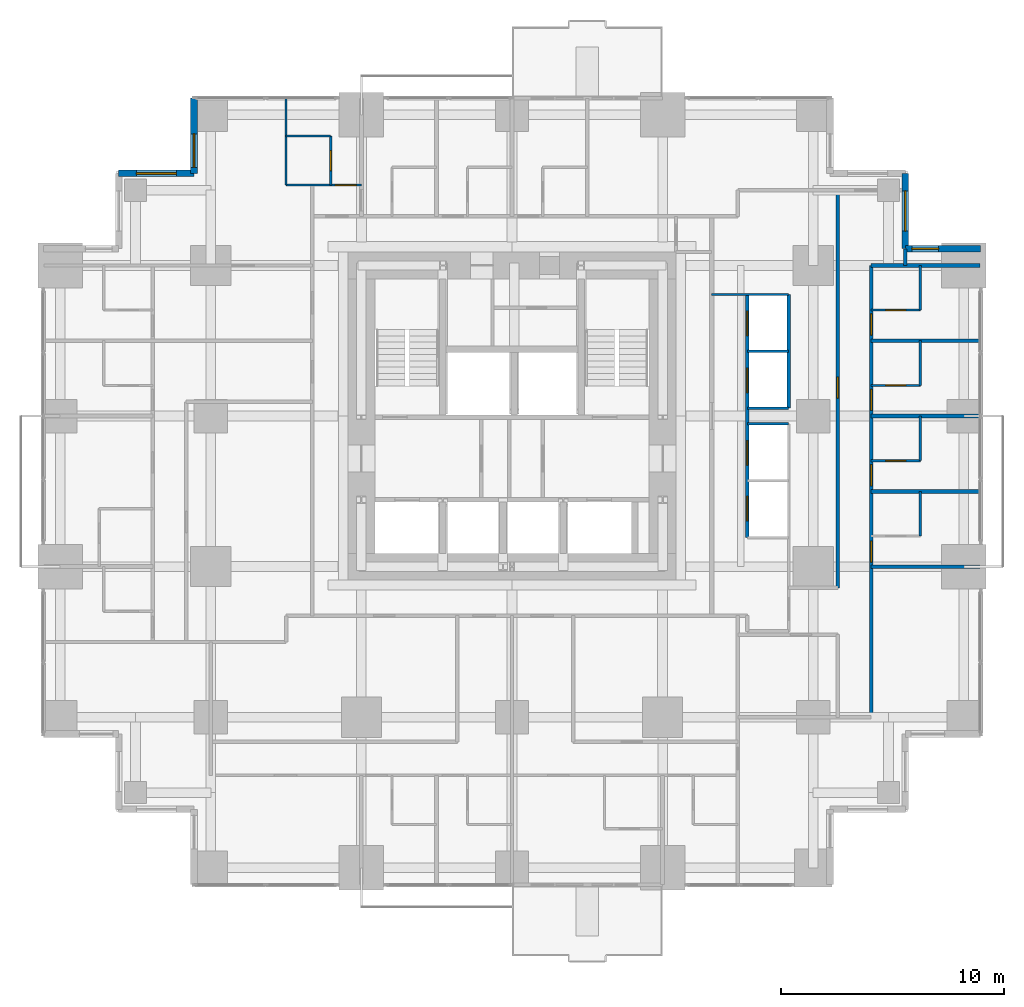
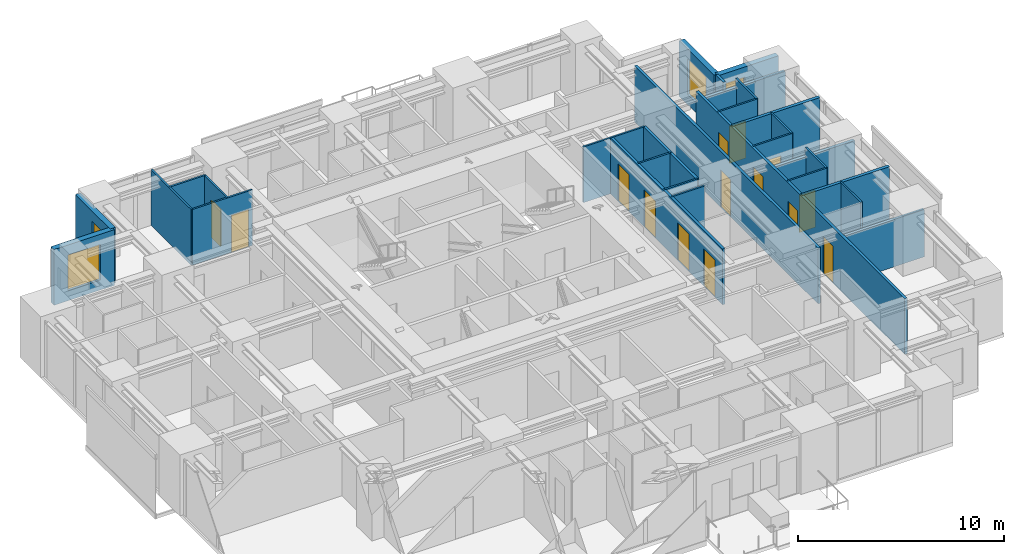
# One storey, part 10 of 12: 29 walls, 14 doors, 4 windows, 18 openings.
"""IFC4 building model written with IfcOpenShell, lengths in metres."""

from ifc_helpers import new_model, si_unit, direction, frame, frame_2d, origin, place, context, subcontext, project, spatial, rectangle, extrude, material, layer, layer_set, type_object, element, fill, save


model = new_model("IFC4")

# Units and contexts
model_context = context("Model", 3, precision=1e-05, world=origin(), true_north=direction((0.0, 1.0)))
body_context = subcontext(model_context, "Body", "Model", "MODEL_VIEW")
ifc_project = project(units=[si_unit("LENGTHUNIT", "METRE"), si_unit("AREAUNIT", "SQUARE_METRE"), si_unit("VOLUMEUNIT", "CUBIC_METRE"), si_unit("PLANEANGLEUNIT", "RADIAN"), si_unit("MASSUNIT", "GRAM", prefix="KILO")], contexts=[model_context])

# Site, building, storey
site_placement = place(None, origin())
site = spatial("IfcSite", under=ifc_project, at=site_placement, CompositionType="ELEMENT")
building_placement = place(site_placement, origin())
building = spatial("IfcBuilding", under=site, at=building_placement, Name="Nyansa Garden Tower", CompositionType="ELEMENT")
storey_placement = place(building_placement, frame((0.0, 0.0, 134.10009765625)))
storey = spatial("IfcBuildingStorey", under=building, at=storey_placement, Name="L36", CompositionType="ELEMENT", Elevation=134.10009765625)

# Walls
ifc_material_1 = material(Name="Dense blockwork, plastered both sides, 55 dB", Category="masonry")
ifc_layer_1 = layer(ifc_material_1, 0.175048828125)
ifc_layer_set_1 = layer_set([ifc_layer_1], Name="Acoustic party wall PW175")
wall_type_1 = type_object("IfcWallType", Name="Acoustic party wall PW175", PredefinedType="PARTITIONING", material=ifc_layer_set_1)
wall_1_placement = place(storey_placement, frame((36.35009765625, 16.875, 0.0), z_axis=(0.0, 0.0, 1.0), x_axis=(1.0, 0.0, 0.0)))
element("IfcWall", 1, at=wall_1_placement, inside=storey, type_object=wall_type_1, Name="Party wall", PredefinedType="PARTITIONING", context=body_context, shape_type="SweptSolid", body=[
    extrude(rectangle(XDim=4.8837890625, YDim=0.175048828125, at=frame_2d((2.44189453125, 0.0))), origin(), (0.0, 0.0, 1.0), 3.2998046875),
])
wall_2_placement = place(storey_placement, frame((36.35009765625, 20.25, 0.0), z_axis=(0.0, 0.0, 1.0), x_axis=(1.0, 0.0, 0.0)))
element("IfcWall", 2, at=wall_2_placement, inside=storey, type_object=wall_type_1, Name="Party wall", PredefinedType="PARTITIONING", context=body_context, shape_type="SweptSolid", body=[
    extrude(rectangle(XDim=4.8837890625, YDim=0.175048828125, at=frame_2d((2.44189453125, 0.0))), origin(), (0.0, 0.0, 1.0), 2.802001953125),
])
wall_3_placement = place(storey_placement, frame((36.35009765625, 23.625, 0.0), z_axis=(0.0, 0.0, 1.0), x_axis=(1.0, 0.0, 0.0)))
element("IfcWall", 3, at=wall_3_placement, inside=storey, type_object=wall_type_1, Name="Party wall", PredefinedType="PARTITIONING", context=body_context, shape_type="SweptSolid", body=[
    extrude(rectangle(XDim=4.8837890625, YDim=0.175048828125, at=frame_2d((2.44189453125, 0.0))), origin(), (0.0, 0.0, 1.0), 3.2998046875),
])
wall_4_placement = place(storey_placement, frame((36.35009765625, 27.0, 0.0), z_axis=(0.0, 0.0, 1.0), x_axis=(1.0, 0.0, 0.0)))
element("IfcWall", 4, at=wall_4_placement, inside=storey, type_object=wall_type_1, Name="Party wall", PredefinedType="PARTITIONING", context=body_context, shape_type="SweptSolid", body=[
    extrude(rectangle(XDim=4.8837890625, YDim=0.175048828125, at=frame_2d((2.44189453125, 0.0))), origin(), (0.0, 0.0, 1.0), 2.802001953125),
])
ifc_material_2 = material(Name="Steel-stud shaft wall, two layers fire-rated board, EI 120", Category="steel")
ifc_layer_2 = layer(ifc_material_2, 0.10009765625)
ifc_layer_set_2 = layer_set([ifc_layer_2], Name="Lift shaft wall SW100")
wall_type_2 = type_object("IfcWallType", Name="Lift shaft wall SW100", PredefinedType="SHEAR", material=ifc_layer_set_2)
wall_5_placement = place(storey_placement, frame((29.199951171875, 25.699951171875, 0.0), z_axis=(0.0, 0.0, 1.0), x_axis=(1.0, 0.0, 0.0)))
element("IfcWall", 5, at=wall_5_placement, inside=storey, type_object=wall_type_2, Name="Lift shaft wall", PredefinedType="SHEAR", context=body_context, shape_type="SweptSolid", body=[
    extrude(rectangle(XDim=3.449951171875, YDim=0.10009765625, at=frame_2d((1.72509765625, 0.0))), origin(), (0.0, 0.0, 1.0), 3.2998046875),
])
for number, where, z_axis, x_axis, name in (
    (6, (30.800048828125, 19.89990234375, 0.0), (0.0, 0.0, 1.0), (1.0, 0.0, 0.0), "Lift shaft wall"),
    (7, (30.800048828125, 20.60009765625, 0.0), (0.0, 0.0, 1.0), (1.0, 0.0, 0.0), "Lift shaft wall"),
    (8, (30.800048828125, 23.14990234375, 0.0), (0.0, 0.0, 1.0), (1.0, 0.0, 0.0), "Lift shaft wall"),
):
    element("IfcWall", number, at=place(storey_placement, frame(where, z_axis=z_axis, x_axis=x_axis)), inside=storey, type_object=wall_type_2, Name=name, PredefinedType="SHEAR", context=body_context, shape_type="SweptSolid", body=[
        extrude(rectangle(XDim=1.849853515625, YDim=0.10009765625, at=frame_2d((0.9248046875, 0.0))), origin(), (0.0, 0.0, 1.0), 3.2998046875),
    ])

# Wall, openings, doors
ifc_material_3 = material(Name="Blockwork, plastered both sides", Category="masonry")
ifc_layer_3 = layer(ifc_material_3, 0.14990234375)
ifc_layer_set_3 = layer_set([ifc_layer_3], Name="Partition PW150")
wall_type_3 = type_object("IfcWallType", Name="Partition PW150", PredefinedType="PARTITIONING", material=ifc_layer_set_3)
wall_6_placement = place(storey_placement, frame((30.800048828125, 14.800048828125, 0.0), z_axis=(0.0, 0.0, 1.0), x_axis=(0.0, 1.0, 0.0)))
wall_6 = element("IfcWall", 9, at=wall_6_placement, inside=storey, type_object=wall_type_3, Name="Partition", PredefinedType="PARTITIONING", context=body_context, shape_type="SweptSolid", body=[
    extrude(rectangle(XDim=10.89990234375, YDim=0.14990234375, at=frame_2d((5.449951171875, 0.0))), origin(), (0.0, 0.0, 1.0), 3.2998046875),
])
opening_1_placement = place(wall_6_placement, frame((0.75, 0.0, 0.0)))
opening_1 = element("IfcOpeningElement", 10, at=opening_1_placement, cuts=wall_6, Name="Opening LD-A", PredefinedType="OPENING", context=body_context, shape_type="SweptSolid", body=[
    extrude(rectangle(XDim=1.10009765625, YDim=2.199951171875, at=frame_2d((0.550048828125, 1.10009765625))), frame((0.0, 0.0849609375, 0.0), z_axis=(0.0, -1.0, 0.0), x_axis=(1.0, 0.0, 0.0)), (0.0, 0.0, 1.0), 0.169921875),
])
opening_2_placement = place(wall_6_placement, frame((3.25, 0.0, 0.0)))
opening_2 = element("IfcOpeningElement", 11, at=opening_2_placement, cuts=wall_6, Name="Opening LD-A", PredefinedType="OPENING", context=body_context, shape_type="SweptSolid", body=[
    extrude(rectangle(XDim=1.10009765625, YDim=2.199951171875, at=frame_2d((0.550048828125, 1.10009765625))), frame((0.0, 0.0849609375, 0.0), z_axis=(0.0, -1.0, 0.0), x_axis=(1.0, 0.0, 0.0)), (0.0, 0.0, 1.0), 0.169921875),
])
opening_3_placement = place(wall_6_placement, frame((6.5, 0.0, 0.0)))
opening_3 = element("IfcOpeningElement", 12, at=opening_3_placement, cuts=wall_6, Name="Opening LD-A", PredefinedType="OPENING", context=body_context, shape_type="SweptSolid", body=[
    extrude(rectangle(XDim=1.10009765625, YDim=2.199951171875, at=frame_2d((0.550048828125, 1.10009765625))), frame((0.0, 0.0849609375, 0.0), z_axis=(0.0, -1.0, 0.0), x_axis=(1.0, 0.0, 0.0)), (0.0, 0.0, 1.0), 0.169921875),
])
opening_4_placement = place(wall_6_placement, frame((9.050048828125, 0.0, 0.0)))
opening_4 = element("IfcOpeningElement", 13, at=opening_4_placement, cuts=wall_6, Name="Opening LD-A", PredefinedType="OPENING", context=body_context, shape_type="SweptSolid", body=[
    extrude(rectangle(XDim=1.10009765625, YDim=2.199951171875, at=frame_2d((0.550048828125, 1.10009765625))), frame((0.0, 0.0849609375, 0.0), z_axis=(0.0, -1.0, 0.0), x_axis=(1.0, 0.0, 0.0)), (0.0, 0.0, 1.0), 0.169921875),
])
ifc_material_4 = material(Name="Stainless steel centre-opening landing door of the low-rise lift, E 120", Category="steel")
door_type_1 = type_object("IfcDoorType", Name="Lift landing door LD-A 1100x2200", OperationType="DOUBLE_DOOR_SLIDING", PredefinedType="DOOR", material=ifc_material_4)
door_1_placement = place(opening_1_placement, origin())
door_1 = element("IfcDoor", 14, at=door_1_placement, inside=storey, type_object=door_type_1, Name="Landing door A1", OperationType="DOUBLE_DOOR_SLIDING", OverallHeight=2.199951171875, OverallWidth=1.10009765625, PredefinedType="DOOR", context=body_context, shape_type="SweptSolid", body=[
    extrude(rectangle(XDim=1.10009765625, YDim=2.199951171875, at=frame_2d((0.550048828125, 1.10009765625))), frame((0.0, 0.02490234375, 0.0), z_axis=(0.0, -1.0, 0.0), x_axis=(1.0, 0.0, 0.0)), (0.0, 0.0, 1.0), 0.050048828125),
])
fill(opening_1, door_1)
door_2_placement = place(opening_2_placement, origin())
door_2 = element("IfcDoor", 15, at=door_2_placement, inside=storey, type_object=door_type_1, Name="Landing door A2", OperationType="DOUBLE_DOOR_SLIDING", OverallHeight=2.199951171875, OverallWidth=1.10009765625, PredefinedType="DOOR", context=body_context, shape_type="SweptSolid", body=[
    extrude(rectangle(XDim=1.10009765625, YDim=2.199951171875, at=frame_2d((0.550048828125, 1.10009765625))), frame((0.0, 0.02490234375, 0.0), z_axis=(0.0, -1.0, 0.0), x_axis=(1.0, 0.0, 0.0)), (0.0, 0.0, 1.0), 0.050048828125),
])
fill(opening_2, door_2)
door_3_placement = place(opening_3_placement, origin())
door_3 = element("IfcDoor", 16, at=door_3_placement, inside=storey, type_object=door_type_1, Name="Landing door A3", OperationType="DOUBLE_DOOR_SLIDING", OverallHeight=2.199951171875, OverallWidth=1.10009765625, PredefinedType="DOOR", context=body_context, shape_type="SweptSolid", body=[
    extrude(rectangle(XDim=1.10009765625, YDim=2.199951171875, at=frame_2d((0.550048828125, 1.10009765625))), frame((0.0, 0.02490234375, 0.0), z_axis=(0.0, -1.0, 0.0), x_axis=(1.0, 0.0, 0.0)), (0.0, 0.0, 1.0), 0.050048828125),
])
fill(opening_3, door_3)
door_4_placement = place(opening_4_placement, origin())
door_4 = element("IfcDoor", 17, at=door_4_placement, inside=storey, type_object=door_type_1, Name="Landing door A4", OperationType="DOUBLE_DOOR_SLIDING", OverallHeight=2.199951171875, OverallWidth=1.10009765625, PredefinedType="DOOR", context=body_context, shape_type="SweptSolid", body=[
    extrude(rectangle(XDim=1.10009765625, YDim=2.199951171875, at=frame_2d((0.550048828125, 1.10009765625))), frame((0.0, 0.02490234375, 0.0), z_axis=(0.0, -1.0, 0.0), x_axis=(1.0, 0.0, 0.0)), (0.0, 0.0, 1.0), 0.050048828125),
])
fill(opening_4, door_4)

# Wall
wall_7_placement = place(storey_placement, frame((32.64990234375, 20.60009765625, 0.0), z_axis=(0.0, 0.0, 1.0), x_axis=(0.0, 1.0, 0.0)))
element("IfcWall", 18, at=wall_7_placement, inside=storey, type_object=wall_type_3, Name="Partition", PredefinedType="PARTITIONING", context=body_context, shape_type="SweptSolid", body=[
    extrude(rectangle(XDim=5.099853515625, YDim=0.14990234375, at=frame_2d((2.5498046875, 0.0))), origin(), (0.0, 0.0, 1.0), 3.2998046875),
])

# Wall, opening, door
wall_8_placement = place(storey_placement, frame((34.85009765625, 12.550048828125, 0.0), z_axis=(0.0, 0.0, 1.0), x_axis=(0.0, 1.0, 0.0)))
wall_8 = element("IfcWall", 19, at=wall_8_placement, inside=storey, type_object=wall_type_3, Name="Partition", PredefinedType="PARTITIONING", context=body_context, shape_type="SweptSolid", body=[
    extrude(rectangle(XDim=17.824951171875, YDim=0.14990234375, at=frame_2d((8.91259765625, 0.0))), origin(), (0.0, 0.0, 1.0), 3.2998046875),
])
opening_5_placement = place(wall_8_placement, frame((8.5, 0.0, 0.0)))
opening_5 = element("IfcOpeningElement", 20, at=opening_5_placement, cuts=wall_8, Name="Opening D01", PredefinedType="OPENING", context=body_context, shape_type="SweptSolid", body=[
    extrude(rectangle(XDim=0.949951171875, YDim=2.199951171875, at=frame_2d((0.47509765625, 1.10009765625))), frame((0.0, 0.0849609375, 0.0), z_axis=(0.0, -1.0, 0.0), x_axis=(1.0, 0.0, 0.0)), (0.0, 0.0, 1.0), 0.169921875),
])
ifc_material_5 = material(Name="Timber flush door, 30 minute fire resisting", Category="wood")
door_type_2 = type_object("IfcDoorType", Name="Bedroom door D01 950x2200", OperationType="SINGLE_SWING_LEFT", PredefinedType="DOOR", material=ifc_material_5)
door_5_placement = place(opening_5_placement, origin())
door_5 = element("IfcDoor", 21, at=door_5_placement, inside=storey, type_object=door_type_2, Name="Door L36-042", OperationType="SINGLE_SWING_LEFT", OverallHeight=2.199951171875, OverallWidth=0.949951171875, PredefinedType="DOOR", context=body_context, shape_type="SweptSolid", body=[
    extrude(rectangle(XDim=0.949951171875, YDim=2.199951171875, at=frame_2d((0.47509765625, 1.10009765625))), frame((0.0, 0.02490234375, 0.0), z_axis=(0.0, -1.0, 0.0), x_axis=(1.0, 0.0, 0.0)), (0.0, 0.0, 1.0), 0.050048828125),
])
fill(opening_5, door_5)

# Wall, openings, doors
wall_9_placement = place(storey_placement, frame((36.35009765625, 6.75, 0.0), z_axis=(0.0, 0.0, 1.0), x_axis=(0.0, 1.0, 0.0)))
wall_9 = element("IfcWall", 22, at=wall_9_placement, inside=storey, type_object=wall_type_3, Name="Partition", PredefinedType="PARTITIONING", context=body_context, shape_type="SweptSolid", body=[
    extrude(rectangle(XDim=20.25, YDim=0.14990234375, at=frame_2d((10.125, 0.0))), origin(), (0.0, 0.0, 1.0), 3.2998046875),
])
opening_6_placement = place(wall_9_placement, frame((6.949951171875, 0.0, 0.0)))
opening_6 = element("IfcOpeningElement", 23, at=opening_6_placement, cuts=wall_9, Name="Opening D14", PredefinedType="OPENING", context=body_context, shape_type="SweptSolid", body=[
    extrude(rectangle(XDim=0.949951171875, YDim=2.199951171875, at=frame_2d((0.47509765625, 1.10009765625))), frame((0.0, 0.0849609375, 0.0), z_axis=(0.0, -1.0, 0.0), x_axis=(1.0, 0.0, 0.0)), (0.0, 0.0, 1.0), 0.169921875),
])
opening_7_placement = place(wall_9_placement, frame((10.375, 0.0, 0.0)))
opening_7 = element("IfcOpeningElement", 24, at=opening_7_placement, cuts=wall_9, Name="Opening D14", PredefinedType="OPENING", context=body_context, shape_type="SweptSolid", body=[
    extrude(rectangle(XDim=0.949951171875, YDim=2.199951171875, at=frame_2d((0.47509765625, 1.10009765625))), frame((0.0, 0.0849609375, 0.0), z_axis=(0.0, -1.0, 0.0), x_axis=(1.0, 0.0, 0.0)), (0.0, 0.0, 1.0), 0.169921875),
])
opening_8_placement = place(wall_9_placement, frame((13.75, 0.0, 0.0)))
opening_8 = element("IfcOpeningElement", 25, at=opening_8_placement, cuts=wall_9, Name="Opening D14", PredefinedType="OPENING", context=body_context, shape_type="SweptSolid", body=[
    extrude(rectangle(XDim=0.949951171875, YDim=2.199951171875, at=frame_2d((0.47509765625, 1.10009765625))), frame((0.0, 0.0849609375, 0.0), z_axis=(0.0, -1.0, 0.0), x_axis=(1.0, 0.0, 0.0)), (0.0, 0.0, 1.0), 0.169921875),
])
opening_9_placement = place(wall_9_placement, frame((17.125, 0.0, 0.0)))
opening_9 = element("IfcOpeningElement", 26, at=opening_9_placement, cuts=wall_9, Name="Opening D14", PredefinedType="OPENING", context=body_context, shape_type="SweptSolid", body=[
    extrude(rectangle(XDim=0.949951171875, YDim=2.199951171875, at=frame_2d((0.47509765625, 1.10009765625))), frame((0.0, 0.0849609375, 0.0), z_axis=(0.0, -1.0, 0.0), x_axis=(1.0, 0.0, 0.0)), (0.0, 0.0, 1.0), 0.169921875),
])
ifc_material_6 = material(Name="Timber flush door, 60 minute fire resisting, self-closing", Category="wood")
door_type_3 = type_object("IfcDoorType", Name="Studio entrance door D14 950x2200", OperationType="SINGLE_SWING_LEFT", PredefinedType="DOOR", material=ifc_material_6)
door_6_placement = place(opening_6_placement, origin())
door_6 = element("IfcDoor", 27, at=door_6_placement, inside=storey, type_object=door_type_3, Name="Door L36-033", OperationType="SINGLE_SWING_LEFT", OverallHeight=2.199951171875, OverallWidth=0.949951171875, PredefinedType="DOOR", context=body_context, shape_type="SweptSolid", body=[
    extrude(rectangle(XDim=0.949951171875, YDim=2.199951171875, at=frame_2d((0.47509765625, 1.10009765625))), frame((0.0, 0.02490234375, 0.0), z_axis=(0.0, -1.0, 0.0), x_axis=(1.0, 0.0, 0.0)), (0.0, 0.0, 1.0), 0.050048828125),
])
fill(opening_6, door_6)
door_7_placement = place(opening_7_placement, origin())
door_7 = element("IfcDoor", 28, at=door_7_placement, inside=storey, type_object=door_type_3, Name="Door L36-035", OperationType="SINGLE_SWING_LEFT", OverallHeight=2.199951171875, OverallWidth=0.949951171875, PredefinedType="DOOR", context=body_context, shape_type="SweptSolid", body=[
    extrude(rectangle(XDim=0.949951171875, YDim=2.199951171875, at=frame_2d((0.47509765625, 1.10009765625))), frame((0.0, 0.02490234375, 0.0), z_axis=(0.0, -1.0, 0.0), x_axis=(1.0, 0.0, 0.0)), (0.0, 0.0, 1.0), 0.050048828125),
])
fill(opening_7, door_7)
door_8_placement = place(opening_8_placement, origin())
door_8 = element("IfcDoor", 29, at=door_8_placement, inside=storey, type_object=door_type_3, Name="Door L36-037", OperationType="SINGLE_SWING_LEFT", OverallHeight=2.199951171875, OverallWidth=0.949951171875, PredefinedType="DOOR", context=body_context, shape_type="SweptSolid", body=[
    extrude(rectangle(XDim=0.949951171875, YDim=2.199951171875, at=frame_2d((0.47509765625, 1.10009765625))), frame((0.0, 0.02490234375, 0.0), z_axis=(0.0, -1.0, 0.0), x_axis=(1.0, 0.0, 0.0)), (0.0, 0.0, 1.0), 0.050048828125),
])
fill(opening_8, door_8)
door_9_placement = place(opening_9_placement, origin())
door_9 = element("IfcDoor", 30, at=door_9_placement, inside=storey, type_object=door_type_3, Name="Door L36-039", OperationType="SINGLE_SWING_LEFT", OverallHeight=2.199951171875, OverallWidth=0.949951171875, PredefinedType="DOOR", context=body_context, shape_type="SweptSolid", body=[
    extrude(rectangle(XDim=0.949951171875, YDim=2.199951171875, at=frame_2d((0.47509765625, 1.10009765625))), frame((0.0, 0.02490234375, 0.0), z_axis=(0.0, -1.0, 0.0), x_axis=(1.0, 0.0, 0.0)), (0.0, 0.0, 1.0), 0.050048828125),
])
fill(opening_9, door_9)

# Walls
wall_10_placement = place(storey_placement, frame((36.35009765625, 13.5, 0.0), z_axis=(0.0, 0.0, 1.0), x_axis=(1.0, 0.0, 0.0)))
element("IfcWall", 31, at=wall_10_placement, inside=storey, type_object=wall_type_3, Name="Partition", PredefinedType="PARTITIONING", context=body_context, shape_type="SweptSolid", body=[
    extrude(rectangle(XDim=4.8837890625, YDim=0.14990234375, at=frame_2d((2.44189453125, 0.0))), origin(), (0.0, 0.0, 1.0), 2.802001953125),
])
wall_11_placement = place(storey_placement, frame((37.875, 27.0, 0.0), z_axis=(0.0, 0.0, 1.0), x_axis=(0.0, 1.0, 0.0)))
element("IfcWall", 32, at=wall_11_placement, inside=storey, type_object=wall_type_3, Name="Partition", PredefinedType="PARTITIONING", context=body_context, shape_type="SweptSolid", body=[
    extrude(rectangle(XDim=0.73388671875, YDim=0.14990234375, at=frame_2d((0.366943359375, 0.0))), origin(), (0.0, 0.0, 1.0), 3.2998046875),
])

# Wall, opening, window
ifc_material_7 = material(Name="Turquoise glazed tile on concrete blockwork", Category="masonry")
ifc_layer_4 = layer(ifc_material_7, 0.300048828125)
ifc_layer_set_4 = layer_set([ifc_layer_4], Name="Tiled corner wall TW300")
wall_type_4 = type_object("IfcWallType", Name="Tiled corner wall TW300", PredefinedType="SOLIDWALL", material=ifc_layer_set_4)
wall_12_placement = place(storey_placement, frame((41.25, 27.75, 0.0), z_axis=(0.0, 0.0, 1.0), x_axis=(-1.0, 0.0, 0.0)))
wall_12 = element("IfcWall", 33, at=wall_12_placement, inside=storey, type_object=wall_type_4, Name="Tiled corner wall L36", PredefinedType="SOLIDWALL", context=body_context, shape_type="SweptSolid", body=[
    extrude(rectangle(XDim=3.375, YDim=0.300048828125, at=frame_2d((1.6875, 0.0))), origin(), (0.0, 0.0, 1.0), 3.2998046875),
])
opening_10_placement = place(wall_12_placement, frame((1.882568359375, 0.0, 0.89990234375)))
opening_10 = element("IfcOpeningElement", 34, at=opening_10_placement, cuts=wall_12, Name="Opening W4", PredefinedType="OPENING", context=body_context, shape_type="SweptSolid", body=[
    extrude(rectangle(XDim=1.199951171875, YDim=1.800048828125, at=frame_2d((0.60009765625, 0.89990234375))), frame((0.0, 0.159912109375, 0.0), z_axis=(0.0, -1.0, 0.0), x_axis=(1.0, 0.0, 0.0)), (0.0, 0.0, 1.0), 0.320068359375),
])
ifc_material_8 = material(Name="Black aluminium frame, dark tinted double glazing", Category="aluminium")
window_type_1 = type_object("IfcWindowType", Name="Window W4 1200x1800", PartitioningType="SINGLE_PANEL", PredefinedType="WINDOW", material=ifc_material_8)
window_1_placement = place(opening_10_placement, origin())
window_1 = element("IfcWindow", 35, at=window_1_placement, inside=storey, type_object=window_type_1, Name="Corner window L36", OverallHeight=1.800048828125, OverallWidth=1.199951171875, PartitioningType="SINGLE_PANEL", PredefinedType="WINDOW", context=body_context, shape_type="SweptSolid", body=[
    extrude(rectangle(XDim=1.199951171875, YDim=1.800048828125, at=frame_2d((0.60009765625, 0.89990234375))), frame((0.0, 0.030029296875, 0.0), z_axis=(0.0, -1.0, 0.0), x_axis=(1.0, 0.0, 0.0)), (0.0, 0.0, 1.0), 0.06005859375),
])
fill(opening_10, window_1)

wall_13_placement = place(storey_placement, frame((37.875, 27.75, 0.0), z_axis=(0.0, 0.0, 1.0), x_axis=(0.0, 1.0, 0.0)))
wall_13 = element("IfcWall", 36, at=wall_13_placement, inside=storey, type_object=wall_type_4, Name="Tiled corner wall L36", PredefinedType="SOLIDWALL", context=body_context, shape_type="SweptSolid", body=[
    extrude(rectangle(XDim=3.375, YDim=0.300048828125, at=frame_2d((1.6875, 0.0))), origin(), (0.0, 0.0, 1.0), 3.2998046875),
])
opening_11_placement = place(wall_13_placement, frame((0.78759765625, 0.0, 0.60009765625)))
opening_11 = element("IfcOpeningElement", 37, at=opening_11_placement, cuts=wall_13, Name="Opening W2", PredefinedType="OPENING", context=body_context, shape_type="SweptSolid", body=[
    extrude(rectangle(XDim=1.800048828125, YDim=2.10009765625, at=frame_2d((0.89990234375, 1.050048828125))), frame((0.0, 0.159912109375, 0.0), z_axis=(0.0, -1.0, 0.0), x_axis=(1.0, 0.0, 0.0)), (0.0, 0.0, 1.0), 0.320068359375),
])
ifc_material_9 = material(Name="Black aluminium frame, dark tinted double glazing", Category="aluminium")
window_type_2 = type_object("IfcWindowType", Name="Window W2 1800x2100", PartitioningType="SINGLE_PANEL", PredefinedType="WINDOW", material=ifc_material_9)
window_2_placement = place(opening_11_placement, origin())
window_2 = element("IfcWindow", 38, at=window_2_placement, inside=storey, type_object=window_type_2, Name="Corner window L36", OverallHeight=2.10009765625, OverallWidth=1.800048828125, PartitioningType="SINGLE_PANEL", PredefinedType="WINDOW", context=body_context, shape_type="SweptSolid", body=[
    extrude(rectangle(XDim=1.800048828125, YDim=2.10009765625, at=frame_2d((0.89990234375, 1.050048828125))), frame((0.0, 0.030029296875, 0.0), z_axis=(0.0, -1.0, 0.0), x_axis=(1.0, 0.0, 0.0)), (0.0, 0.0, 1.0), 0.06005859375),
])
fill(opening_11, window_2)

wall_14_placement = place(storey_placement, frame((6.0, 34.5, 0.0), z_axis=(0.0, 0.0, 1.0), x_axis=(0.0, -1.0, 0.0)))
wall_14 = element("IfcWall", 39, at=wall_14_placement, inside=storey, type_object=wall_type_4, Name="Tiled corner wall L36", PredefinedType="SOLIDWALL", context=body_context, shape_type="SweptSolid", body=[
    extrude(rectangle(XDim=3.375, YDim=0.300048828125, at=frame_2d((1.6875, 0.0))), origin(), (0.0, 0.0, 1.0), 3.2998046875),
])
opening_12_placement = place(wall_14_placement, frame((1.607421875, 0.0, 0.89990234375)))
opening_12 = element("IfcOpeningElement", 40, at=opening_12_placement, cuts=wall_14, Name="Opening W1", PredefinedType="OPENING", context=body_context, shape_type="SweptSolid", body=[
    extrude(rectangle(XDim=1.5, YDim=1.800048828125, at=frame_2d((0.75, 0.89990234375))), frame((0.0, 0.159912109375, 0.0), z_axis=(0.0, -1.0, 0.0), x_axis=(1.0, 0.0, 0.0)), (0.0, 0.0, 1.0), 0.320068359375),
])
ifc_material_10 = material(Name="Black aluminium frame, dark tinted double glazing", Category="aluminium")
window_type_3 = type_object("IfcWindowType", Name="Window W1 1500x1800", PartitioningType="SINGLE_PANEL", PredefinedType="WINDOW", material=ifc_material_10)
window_3_placement = place(opening_12_placement, origin())
window_3 = element("IfcWindow", 41, at=window_3_placement, inside=storey, type_object=window_type_3, Name="Corner window L36", OverallHeight=1.800048828125, OverallWidth=1.5, PartitioningType="SINGLE_PANEL", PredefinedType="WINDOW", context=body_context, shape_type="SweptSolid", body=[
    extrude(rectangle(XDim=1.5, YDim=1.800048828125, at=frame_2d((0.75, 0.89990234375))), frame((0.0, 0.030029296875, 0.0), z_axis=(0.0, -1.0, 0.0), x_axis=(1.0, 0.0, 0.0)), (0.0, 0.0, 1.0), 0.06005859375),
])
fill(opening_12, window_3)

wall_15_placement = place(storey_placement, frame((6.0, 31.125, 0.0), z_axis=(0.0, 0.0, 1.0), x_axis=(-1.0, 0.0, 0.0)))
wall_15 = element("IfcWall", 42, at=wall_15_placement, inside=storey, type_object=wall_type_4, Name="Tiled corner wall L36", PredefinedType="SOLIDWALL", context=body_context, shape_type="SweptSolid", body=[
    extrude(rectangle(XDim=3.375, YDim=0.300048828125, at=frame_2d((1.6875, 0.0))), origin(), (0.0, 0.0, 1.0), 3.2998046875),
])
opening_13_placement = place(wall_15_placement, frame((0.78759765625, 0.0, 0.60009765625)))
opening_13 = element("IfcOpeningElement", 43, at=opening_13_placement, cuts=wall_15, Name="Opening W2", PredefinedType="OPENING", context=body_context, shape_type="SweptSolid", body=[
    extrude(rectangle(XDim=1.800048828125, YDim=2.10009765625, at=frame_2d((0.89990234375, 1.050048828125))), frame((0.0, 0.159912109375, 0.0), z_axis=(0.0, -1.0, 0.0), x_axis=(1.0, 0.0, 0.0)), (0.0, 0.0, 1.0), 0.320068359375),
])
window_4_placement = place(opening_13_placement, origin())
window_4 = element("IfcWindow", 44, at=window_4_placement, inside=storey, type_object=window_type_2, Name="Corner window L36", OverallHeight=2.10009765625, OverallWidth=1.800048828125, PartitioningType="SINGLE_PANEL", PredefinedType="WINDOW", context=body_context, shape_type="SweptSolid", body=[
    extrude(rectangle(XDim=1.800048828125, YDim=2.10009765625, at=frame_2d((0.89990234375, 1.050048828125))), frame((0.0, 0.030029296875, 0.0), z_axis=(0.0, -1.0, 0.0), x_axis=(1.0, 0.0, 0.0)), (0.0, 0.0, 1.0), 0.06005859375),
])
fill(opening_13, window_4)

# Wall
ifc_material_11 = material(Name="Moisture resistant board on steel studs, tiled", Category="steel")
ifc_layer_5 = layer(ifc_material_11, 0.10009765625)
ifc_layer_set_5 = layer_set([ifc_layer_5], Name="Wet wall PW100")
wall_type_5 = type_object("IfcWallType", Name="Wet wall PW100", PredefinedType="PARTITIONING", material=ifc_layer_set_5)
wall_16_placement = place(storey_placement, frame((10.125, 30.60009765625, 0.0), z_axis=(0.0, 0.0, 1.0), x_axis=(0.0, 1.0, 0.0)))
element("IfcWall", 45, at=wall_16_placement, inside=storey, type_object=wall_type_5, Name="Wet wall", PredefinedType="PARTITIONING", context=body_context, shape_type="SweptSolid", body=[
    extrude(rectangle(XDim=3.8837890625, YDim=0.10009765625, at=frame_2d((1.94189453125, 0.0))), origin(), (0.0, 0.0, 1.0), 3.2998046875),
])

# Wall, opening, door
wall_17_placement = place(storey_placement, frame((10.125, 30.60009765625, 0.0), z_axis=(0.0, 0.0, 1.0), x_axis=(1.0, 0.0, 0.0)))
wall_17 = element("IfcWall", 46, at=wall_17_placement, inside=storey, type_object=wall_type_5, Name="Wet wall", PredefinedType="PARTITIONING", context=body_context, shape_type="SweptSolid", body=[
    extrude(rectangle(XDim=3.375, YDim=0.10009765625, at=frame_2d((1.6875, 0.0))), origin(), (0.0, 0.0, 1.0), 3.2998046875),
])
opening_14_placement = place(wall_17_placement, frame((2.199951171875, 0.0, 0.0)))
opening_14 = element("IfcOpeningElement", 47, at=opening_14_placement, cuts=wall_17, Name="Opening D14", PredefinedType="OPENING", context=body_context, shape_type="SweptSolid", body=[
    extrude(rectangle(XDim=0.949951171875, YDim=2.199951171875, at=frame_2d((0.47509765625, 1.10009765625))), frame((0.0, 0.06005859375, 0.0), z_axis=(0.0, -1.0, 0.0), x_axis=(1.0, 0.0, 0.0)), (0.0, 0.0, 1.0), 0.1201171875),
])
door_10_placement = place(opening_14_placement, origin())
door_10 = element("IfcDoor", 48, at=door_10_placement, inside=storey, type_object=door_type_3, Name="Door L36-045", OperationType="SINGLE_SWING_LEFT", OverallHeight=2.199951171875, OverallWidth=0.949951171875, PredefinedType="DOOR", context=body_context, shape_type="SweptSolid", body=[
    extrude(rectangle(XDim=0.949951171875, YDim=2.199951171875, at=frame_2d((0.47509765625, 1.10009765625))), frame((0.0, 0.02490234375, 0.0), z_axis=(0.0, -1.0, 0.0), x_axis=(1.0, 0.0, 0.0)), (0.0, 0.0, 1.0), 0.050048828125),
])
fill(opening_14, door_10)

# Wall
wall_18_placement = place(storey_placement, frame((10.125, 32.800048828125, 0.0), z_axis=(0.0, 0.0, 1.0), x_axis=(1.0, 0.0, 0.0)))
element("IfcWall", 49, at=wall_18_placement, inside=storey, type_object=wall_type_5, Name="Wet wall", PredefinedType="PARTITIONING", context=body_context, shape_type="SweptSolid", body=[
    extrude(rectangle(XDim=2.0, YDim=0.10009765625, at=frame_2d((1.0, 0.0))), origin(), (0.0, 0.0, 1.0), 3.2998046875),
])

# Wall, opening, door
wall_19_placement = place(storey_placement, frame((12.125, 30.60009765625, 0.0), z_axis=(0.0, 0.0, 1.0), x_axis=(0.0, 1.0, 0.0)))
wall_19 = element("IfcWall", 50, at=wall_19_placement, inside=storey, type_object=wall_type_5, Name="Wet wall", PredefinedType="PARTITIONING", context=body_context, shape_type="SweptSolid", body=[
    extrude(rectangle(XDim=2.199951171875, YDim=0.10009765625, at=frame_2d((1.10009765625, 0.0))), origin(), (0.0, 0.0, 1.0), 3.2998046875),
])
opening_15_placement = place(wall_19_placement, frame((0.64990234375, 0.0, 0.0)))
opening_15 = element("IfcOpeningElement", 51, at=opening_15_placement, cuts=wall_19, Name="Opening D02", PredefinedType="OPENING", context=body_context, shape_type="SweptSolid", body=[
    extrude(rectangle(XDim=0.89990234375, YDim=2.199951171875, at=frame_2d((0.449951171875, 1.10009765625))), frame((0.0, 0.06005859375, 0.0), z_axis=(0.0, -1.0, 0.0), x_axis=(1.0, 0.0, 0.0)), (0.0, 0.0, 1.0), 0.1201171875),
])
ifc_material_12 = material(Name="Timber flush door", Category="wood")
door_type_4 = type_object("IfcDoorType", Name="En-suite door D02 900x2200", OperationType="SINGLE_SWING_RIGHT", PredefinedType="DOOR", material=ifc_material_12)
door_11_placement = place(opening_15_placement, origin())
door_11 = element("IfcDoor", 52, at=door_11_placement, inside=storey, type_object=door_type_4, Name="Door L36-046", OperationType="SINGLE_SWING_RIGHT", OverallHeight=2.199951171875, OverallWidth=0.89990234375, PredefinedType="DOOR", context=body_context, shape_type="SweptSolid", body=[
    extrude(rectangle(XDim=0.89990234375, YDim=2.199951171875, at=frame_2d((0.449951171875, 1.10009765625))), frame((0.0, 0.02490234375, 0.0), z_axis=(0.0, -1.0, 0.0), x_axis=(1.0, 0.0, 0.0)), (0.0, 0.0, 1.0), 0.050048828125),
])
fill(opening_15, door_11)

wall_20_placement = place(storey_placement, frame((36.35009765625, 18.25, 0.0), z_axis=(0.0, 0.0, 1.0), x_axis=(1.0, 0.0, 0.0)))
wall_20 = element("IfcWall", 53, at=wall_20_placement, inside=storey, type_object=wall_type_5, Name="Wet wall", PredefinedType="PARTITIONING", context=body_context, shape_type="SweptSolid", body=[
    extrude(rectangle(XDim=2.199951171875, YDim=0.10009765625, at=frame_2d((1.10009765625, 0.0))), origin(), (0.0, 0.0, 1.0), 3.2998046875),
])
opening_16_placement = place(wall_20_placement, frame((0.64990234375, 0.0, 0.0)))
opening_16 = element("IfcOpeningElement", 54, at=opening_16_placement, cuts=wall_20, Name="Opening D02", PredefinedType="OPENING", context=body_context, shape_type="SweptSolid", body=[
    extrude(rectangle(XDim=0.89990234375, YDim=2.199951171875, at=frame_2d((0.449951171875, 1.10009765625))), frame((0.0, 0.06005859375, 0.0), z_axis=(0.0, -1.0, 0.0), x_axis=(1.0, 0.0, 0.0)), (0.0, 0.0, 1.0), 0.1201171875),
])
door_12_placement = place(opening_16_placement, origin())
door_12 = element("IfcDoor", 55, at=door_12_placement, inside=storey, type_object=door_type_4, Name="Door L36-036", OperationType="SINGLE_SWING_RIGHT", OverallHeight=2.199951171875, OverallWidth=0.89990234375, PredefinedType="DOOR", context=body_context, shape_type="SweptSolid", body=[
    extrude(rectangle(XDim=0.89990234375, YDim=2.199951171875, at=frame_2d((0.449951171875, 1.10009765625))), frame((0.0, 0.02490234375, 0.0), z_axis=(0.0, -1.0, 0.0), x_axis=(1.0, 0.0, 0.0)), (0.0, 0.0, 1.0), 0.050048828125),
])
fill(opening_16, door_12)

wall_21_placement = place(storey_placement, frame((36.35009765625, 21.625, 0.0), z_axis=(0.0, 0.0, 1.0), x_axis=(1.0, 0.0, 0.0)))
wall_21 = element("IfcWall", 56, at=wall_21_placement, inside=storey, type_object=wall_type_5, Name="Wet wall", PredefinedType="PARTITIONING", context=body_context, shape_type="SweptSolid", body=[
    extrude(rectangle(XDim=2.199951171875, YDim=0.10009765625, at=frame_2d((1.10009765625, 0.0))), origin(), (0.0, 0.0, 1.0), 3.2998046875),
])
opening_17_placement = place(wall_21_placement, frame((0.64990234375, 0.0, 0.0)))
opening_17 = element("IfcOpeningElement", 57, at=opening_17_placement, cuts=wall_21, Name="Opening D02", PredefinedType="OPENING", context=body_context, shape_type="SweptSolid", body=[
    extrude(rectangle(XDim=0.89990234375, YDim=2.199951171875, at=frame_2d((0.449951171875, 1.10009765625))), frame((0.0, 0.06005859375, 0.0), z_axis=(0.0, -1.0, 0.0), x_axis=(1.0, 0.0, 0.0)), (0.0, 0.0, 1.0), 0.1201171875),
])
door_13_placement = place(opening_17_placement, origin())
door_13 = element("IfcDoor", 58, at=door_13_placement, inside=storey, type_object=door_type_4, Name="Door L36-038", OperationType="SINGLE_SWING_RIGHT", OverallHeight=2.199951171875, OverallWidth=0.89990234375, PredefinedType="DOOR", context=body_context, shape_type="SweptSolid", body=[
    extrude(rectangle(XDim=0.89990234375, YDim=2.199951171875, at=frame_2d((0.449951171875, 1.10009765625))), frame((0.0, 0.02490234375, 0.0), z_axis=(0.0, -1.0, 0.0), x_axis=(1.0, 0.0, 0.0)), (0.0, 0.0, 1.0), 0.050048828125),
])
fill(opening_17, door_13)

wall_22_placement = place(storey_placement, frame((36.35009765625, 25.0, 0.0), z_axis=(0.0, 0.0, 1.0), x_axis=(1.0, 0.0, 0.0)))
wall_22 = element("IfcWall", 59, at=wall_22_placement, inside=storey, type_object=wall_type_5, Name="Wet wall", PredefinedType="PARTITIONING", context=body_context, shape_type="SweptSolid", body=[
    extrude(rectangle(XDim=2.199951171875, YDim=0.10009765625, at=frame_2d((1.10009765625, 0.0))), origin(), (0.0, 0.0, 1.0), 3.2998046875),
])
opening_18_placement = place(wall_22_placement, frame((0.64990234375, 0.0, 0.0)))
opening_18 = element("IfcOpeningElement", 60, at=opening_18_placement, cuts=wall_22, Name="Opening D02", PredefinedType="OPENING", context=body_context, shape_type="SweptSolid", body=[
    extrude(rectangle(XDim=0.89990234375, YDim=2.199951171875, at=frame_2d((0.449951171875, 1.10009765625))), frame((0.0, 0.06005859375, 0.0), z_axis=(0.0, -1.0, 0.0), x_axis=(1.0, 0.0, 0.0)), (0.0, 0.0, 1.0), 0.1201171875),
])
door_14_placement = place(opening_18_placement, origin())
door_14 = element("IfcDoor", 61, at=door_14_placement, inside=storey, type_object=door_type_4, Name="Door L36-040", OperationType="SINGLE_SWING_RIGHT", OverallHeight=2.199951171875, OverallWidth=0.89990234375, PredefinedType="DOOR", context=body_context, shape_type="SweptSolid", body=[
    extrude(rectangle(XDim=0.89990234375, YDim=2.199951171875, at=frame_2d((0.449951171875, 1.10009765625))), frame((0.0, 0.02490234375, 0.0), z_axis=(0.0, -1.0, 0.0), x_axis=(1.0, 0.0, 0.0)), (0.0, 0.0, 1.0), 0.050048828125),
])
fill(opening_18, door_14)

# Walls
for number, where, z_axis, x_axis, name in (
    (62, (38.550048828125, 14.875, 0.0), (0.0, 0.0, 1.0), (0.0, 1.0, 0.0), "Wet wall"),
    (63, (38.550048828125, 18.25, 0.0), (0.0, 0.0, 1.0), (0.0, 1.0, 0.0), "Wet wall"),
    (64, (38.550048828125, 21.625, 0.0), (0.0, 0.0, 1.0), (0.0, 1.0, 0.0), "Wet wall"),
    (65, (38.550048828125, 25.0, 0.0), (0.0, 0.0, 1.0), (0.0, 1.0, 0.0), "Wet wall"),
):
    element("IfcWall", number, at=place(storey_placement, frame(where, z_axis=z_axis, x_axis=x_axis)), inside=storey, type_object=wall_type_5, Name=name, PredefinedType="PARTITIONING", context=body_context, shape_type="SweptSolid", body=[
        extrude(rectangle(XDim=2.0, YDim=0.10009765625, at=frame_2d((1.0, 0.0))), origin(), (0.0, 0.0, 1.0), 3.2998046875),
    ])

save(model, "model.ifc")
